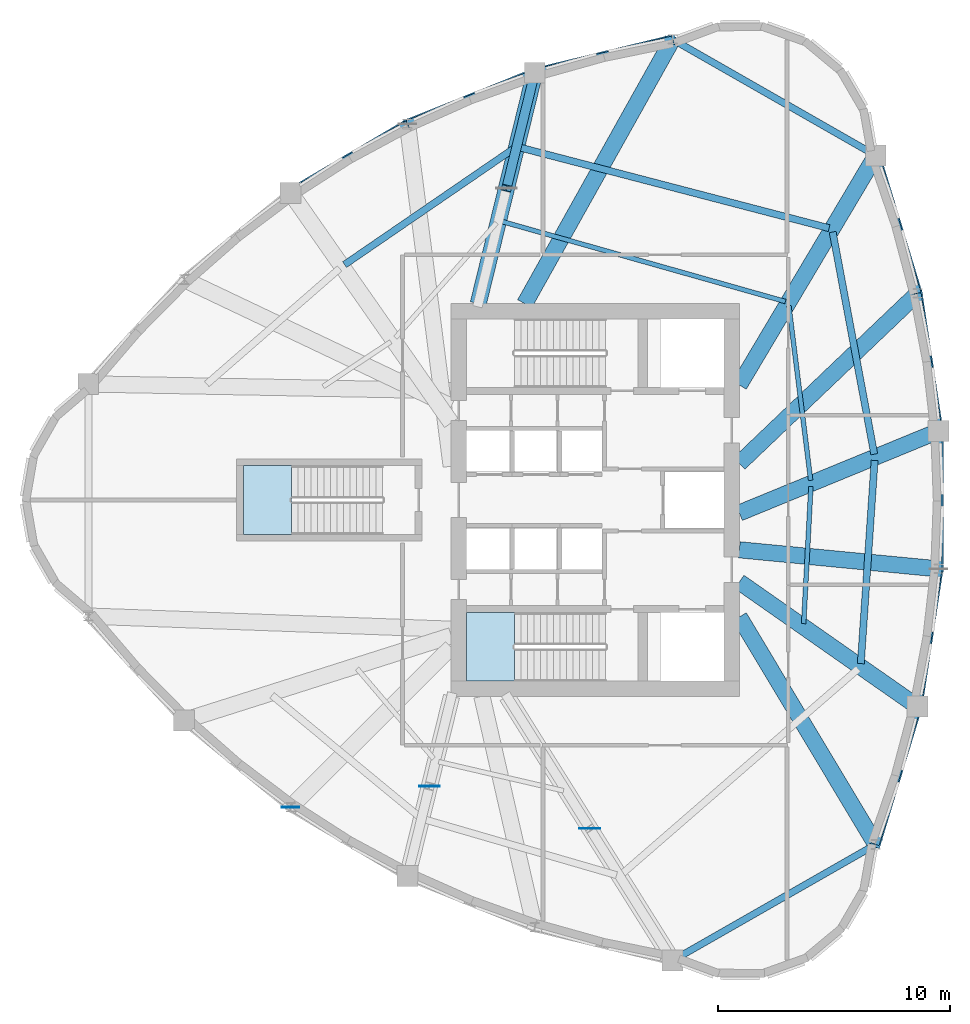
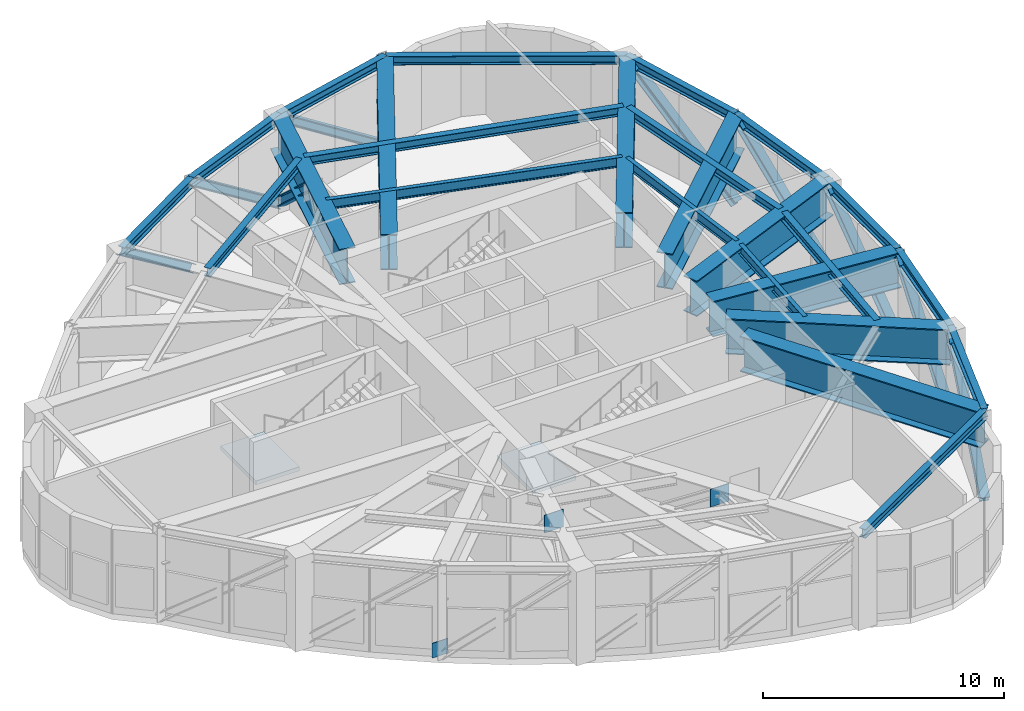
# One storey, part 2 of 9: 25 beams, 9 members, 3 plates, 2 slabs, 2 elements without a shape of their own.
"""IFC4 building model written with IfcOpenShell, lengths in metres."""

import ifcopenshell
import ifcopenshell.guid

model = None  # the IFC model being written
_history = None  # IfcOwnerHistory: only IFC2X3 demands one
_inside = {}  # id of a spatial element -> (the spatial element, [elements in it])
_under = {}  # id of a project, library or spatial element -> (it, [spatial elements below it])
_declared = {}  # id of a project -> (the project, [libraries it declares])
_typed = {}  # id of a type object -> (the type object, [elements of that type])
_made_of = {}  # id of a material, layer set ... -> (it, [elements and type objects made of it])


def new_model(schema):
    """Start an empty IFC model of exactly this schema.

    Asked for "IFC4X3", IfcOpenShell would pick the latest addendum, in which some entities
    have other attributes; the version numbers below select the first issue.
    IFC2X3 requires an IfcOwnerHistory on every rooted entity: one is made here for all.
    """
    global model, _history
    if schema == "IFC4X3":
        model = ifcopenshell.file(schema_version=(4, 3, 0, 0))
    else:
        model = ifcopenshell.file(schema=schema)
    _inside.clear()
    _under.clear()
    _declared.clear()
    _typed.clear()
    _made_of.clear()
    _history = None
    if model.schema == "IFC2X3":
        org = make("IfcOrganization", Name="unknown")
        user = make(
            "IfcPersonAndOrganization",
            ThePerson=make("IfcPerson", FamilyName="unknown"),
            TheOrganization=org,
        )
        app = make(
            "IfcApplication",
            ApplicationDeveloper=org,
            Version="unknown",
            ApplicationFullName="unknown",
            ApplicationIdentifier="unknown",
        )
        _history = make(
            "IfcOwnerHistory",
            OwningUser=user,
            OwningApplication=app,
            ChangeAction="ADDED",
            CreationDate=0,
        )
    return model


def make(cls, **values):
    """One entity of the class cls with the attributes given. An attribute that is None is left unset."""
    return model.create_entity(
        cls, **{name: value for name, value in values.items() if value is not None}
    )


def rooted(cls, **values):
    """An entity with a GlobalId (a new one), such as an element, a storey or a relation."""
    return make(cls, GlobalId=ifcopenshell.guid.new(), OwnerHistory=_history, **values)


def si_unit(unit_type, name, prefix=None):
    """IfcSIUnit, for example si_unit("LENGTHUNIT", "METRE", prefix="MILLI")."""
    return make("IfcSIUnit", UnitType=unit_type, Prefix=prefix, Name=name)


def assignment(units):
    """IfcUnitAssignment: the units of a project."""
    return None if units is None else make("IfcUnitAssignment", Units=units)


def point(xyz):
    """IfcCartesianPoint."""
    return None if xyz is None else make("IfcCartesianPoint", Coordinates=xyz)


def direction(xyz):
    """IfcDirection."""
    return None if xyz is None else make("IfcDirection", DirectionRatios=xyz)


def frame(location, z_axis=None, x_axis=None):
    """IfcAxis2Placement3D, a coordinate frame: its origin and axes. An axis left out is left unset."""
    return make(
        "IfcAxis2Placement3D",
        Location=point(location),
        Axis=direction(z_axis),
        RefDirection=direction(x_axis),
    )


def frame_2d(location, x_axis=None):
    """IfcAxis2Placement2D, a coordinate frame in the plane: its origin and x axis."""
    return make(
        "IfcAxis2Placement2D", Location=point(location), RefDirection=direction(x_axis)
    )


def origin():
    """The frame at (0, 0, 0) with its axes left unset."""
    return frame((0.0, 0.0, 0.0))


def origin_2d():
    """The frame at (0, 0) in the plane with its x axis left unset."""
    return frame_2d((0.0, 0.0))


def place(relative_to, where):
    """IfcLocalPlacement: puts the frame where relative to a parent placement (None: the world)."""
    return make(
        "IfcLocalPlacement", PlacementRelTo=relative_to, RelativePlacement=where
    )


def context(
    kind, dimensions, precision=None, world=None, true_north=None, identifier=None
):
    """IfcGeometricRepresentationContext, for example the 3D "Model" context."""
    return make(
        "IfcGeometricRepresentationContext",
        ContextIdentifier=identifier,
        ContextType=kind,
        CoordinateSpaceDimension=dimensions,
        Precision=precision,
        WorldCoordinateSystem=world,
        TrueNorth=true_north,
    )


def subcontext(parent, identifier, kind, view, scale=None):
    """IfcGeometricRepresentationSubContext, for example "Body" below "Model"."""
    return make(
        "IfcGeometricRepresentationSubContext",
        ContextIdentifier=identifier,
        ContextType=kind,
        ParentContext=parent,
        TargetScale=scale,
        TargetView=view,
    )


def project(units=None, contexts=None):
    """IfcProject with its units and contexts."""
    return rooted(
        "IfcProject",
        Name="project",
        RepresentationContexts=contexts,
        UnitsInContext=assignment(units),
    )


def spatial(cls, under=None, at=None, **own):
    """A site, building, storey or space (cls), placed at a placement, below another one or the project."""
    s = rooted(cls, ObjectPlacement=at, **own)
    if under is not None:
        _under.setdefault(under.id(), (under, []))[1].append(s)
    return s


def polyline(points):
    """IfcPolyline through the points."""
    return make("IfcPolyline", Points=[point(p) for p in points])


def profile(cls, at=None, kind="AREA", **sizes):
    """A parametric profile (cls). Its sizes go by their IFC names, for example OverallWidth=200.0."""
    return make(cls, ProfileType=kind, Position=at, **sizes)


def rectangle(**sizes):
    """IfcRectangleProfileDef."""
    return profile("IfcRectangleProfileDef", **sizes)


def i_section(**sizes):
    """IfcIShapeProfileDef."""
    return profile("IfcIShapeProfileDef", **sizes)


def outline(outer, holes=None, kind="AREA"):
    """IfcArbitraryClosedProfileDef: a profile drawn as a closed curve; with holes, ...WithVoids."""
    if holes is None:
        return make("IfcArbitraryClosedProfileDef", ProfileType=kind, OuterCurve=outer)
    return make(
        "IfcArbitraryProfileDefWithVoids",
        ProfileType=kind,
        OuterCurve=outer,
        InnerCurves=holes,
    )


def extrude(swept, where, along, depth):
    """IfcExtrudedAreaSolid: the profile swept, set in the frame where, extruded along a direction by depth."""
    return make(
        "IfcExtrudedAreaSolid",
        SweptArea=swept,
        Position=where,
        ExtrudedDirection=direction(along),
        Depth=depth,
    )


def shape(context_of_items, identifier, shape_type, items):
    """IfcShapeRepresentation: the items that make up one representation, for example the "Body"."""
    return make(
        "IfcShapeRepresentation",
        ContextOfItems=context_of_items,
        RepresentationIdentifier=identifier,
        RepresentationType=shape_type,
        Items=items,
    )


def source(mapping_origin, context_of_items, identifier, shape_type, items):
    """IfcRepresentationMap: a shape defined once, which mapped items show again and again."""
    return make(
        "IfcRepresentationMap",
        MappingOrigin=mapping_origin,
        MappedRepresentation=shape(context_of_items, identifier, shape_type, items),
    )


def transform(
    local_origin,
    x_axis=None,
    y_axis=None,
    z_axis=None,
    scale=None,
    scale2=None,
    scale3=None,
    uniform=True,
):
    """IfcCartesianTransformationOperator3D, or its non-uniform kind. x_axis, y_axis, z_axis: its Axis1, 2, 3."""
    if uniform:
        return make(
            "IfcCartesianTransformationOperator3D",
            Axis1=direction(x_axis),
            Axis2=direction(y_axis),
            LocalOrigin=point(local_origin),
            Scale=scale,
            Axis3=direction(z_axis),
        )
    return make(
        "IfcCartesianTransformationOperator3DnonUniform",
        Axis1=direction(x_axis),
        Axis2=direction(y_axis),
        LocalOrigin=point(local_origin),
        Scale=scale,
        Axis3=direction(z_axis),
        Scale2=scale2,
        Scale3=scale3,
    )


def mapped(mapping_source, mapping_target):
    """IfcMappedItem: shows the shape of a source again, moved by a transform."""
    return make(
        "IfcMappedItem", MappingSource=mapping_source, MappingTarget=mapping_target
    )


def material(Name=None, Category=None):
    """IfcMaterial."""
    return make("IfcMaterial", Name=Name, Category=Category)


def layer(
    of_material, thickness, ventilated=None, Name=None, Category=None, Priority=None
):
    """IfcMaterialLayer: one layer of a wall or slab, of a material (None: an air gap)."""
    return make(
        "IfcMaterialLayer",
        Material=of_material,
        LayerThickness=thickness,
        IsVentilated=ventilated,
        Name=Name,
        Category=Category,
        Priority=Priority,
    )


def layer_set(layers, Name=None):
    """IfcMaterialLayerSet."""
    return make("IfcMaterialLayerSet", MaterialLayers=layers, LayerSetName=Name)


def material_profile(
    of_material, cross_section, Name=None, Category=None, Priority=None
):
    """IfcMaterialProfile: a cross section and its material."""
    return make(
        "IfcMaterialProfile",
        Name=Name,
        Material=of_material,
        Profile=cross_section,
        Priority=Priority,
        Category=Category,
    )


def profile_set(profiles, Name=None, composite=None):
    """IfcMaterialProfileSet."""
    return make(
        "IfcMaterialProfileSet",
        Name=Name,
        MaterialProfiles=profiles,
        CompositeProfile=composite,
    )


def made_of(thing, what):
    """Note that an element or type object is made of a material, layer set ...; save() writes the relation."""
    if what is not None:
        _made_of.setdefault(what.id(), (what, []))[1].append(thing)
    return thing


def type_object(cls, material=None, **own):
    """A type object (cls), such as IfcWallType, which elements share."""
    return made_of(rooted(cls, **own), material)


def element(
    cls,
    number,
    at=None,
    inside=None,
    cuts=None,
    type_object=None,
    material=None,
    context=None,
    identifier="Body",
    shape_type=None,
    held_by="IfcProductDefinitionShape",
    body=None,
    shapes=None,
    **own,
):
    """One element of the class cls, such as IfcWall. Its Tag is "e" and its number.

    at: its placement. inside: the storey or other place that contains it. cuts: it is an
    opening in that element (IfcRelVoidsElement). A single representation is given by context,
    identifier, shape_type and body (its items); several are given by shapes. held_by: the class
    of the entity that holds the representations. save() writes the other relations.
    """
    e = rooted(cls, Tag="e%d" % number, ObjectPlacement=at, **own)
    if body is not None:
        shapes = [shape(context, identifier, shape_type, body)]
    if shapes is not None:
        e.Representation = make(held_by, Representations=shapes)
    if inside is not None:
        _inside.setdefault(inside.id(), (inside, []))[1].append(e)
    if cuts is not None:
        rooted(
            "IfcRelVoidsElement", RelatingBuildingElement=cuts, RelatedOpeningElement=e
        )
    if type_object is not None:
        _typed.setdefault(type_object.id(), (type_object, []))[1].append(e)
    return made_of(e, material)


def aggregate(whole, parts):
    """IfcRelAggregates: a whole, such as a stair, and the parts it consists of."""
    return rooted("IfcRelAggregates", RelatingObject=whole, RelatedObjects=parts)


def save(model, path):
    """Write the relations noted so far, then the file.

    IfcRelAggregates (storeys below a building ...), IfcRelContainedInSpatialStructure (elements
    in a storey), IfcRelDefinesByType, IfcRelAssociatesMaterial and IfcRelDeclares: one each for
    every whole, place, type object, material and project.
    """
    for whole, parts in _under.values():
        aggregate(whole, parts)
    for where, things in _inside.values():
        rooted(
            "IfcRelContainedInSpatialStructure",
            RelatedElements=things,
            RelatingStructure=where,
        )
    for kind, things in _typed.values():
        rooted("IfcRelDefinesByType", RelatedObjects=things, RelatingType=kind)
    for what, things in _made_of.values():
        rooted("IfcRelAssociatesMaterial", RelatedObjects=things, RelatingMaterial=what)
    for by, libraries in _declared.values():
        rooted("IfcRelDeclares", RelatingContext=by, RelatedDefinitions=libraries)
    model.write(path)


model = new_model("IFC4")

# Units and contexts
model_context = context("Model", 3, precision=1e-05, world=origin(), true_north=direction((0.0, 1.0)))
body_context = subcontext(model_context, "Body", "Model", "MODEL_VIEW")
ifc_project = project(units=[si_unit("LENGTHUNIT", "METRE"), si_unit("AREAUNIT", "SQUARE_METRE"), si_unit("VOLUMEUNIT", "CUBIC_METRE"), si_unit("PLANEANGLEUNIT", "RADIAN"), si_unit("MASSUNIT", "GRAM", prefix="KILO")], contexts=[model_context])

# Site, building, storey
site_placement = place(None, origin())
site = spatial("IfcSite", under=ifc_project, at=site_placement, CompositionType="ELEMENT")
building_placement = place(site_placement, origin())
building = spatial("IfcBuilding", under=site, at=building_placement, Name="Qafzar Sky-Pleat Residences", CompositionType="ELEMENT")
storey_placement = place(building_placement, frame((0.0, 0.0, 128.0)))
storey = spatial("IfcBuildingStorey", under=building, at=storey_placement, Name="L38", CompositionType="ELEMENT", Elevation=128.0)

# Beams
ifc_material_1 = material(Name="Steel S355", Category="steel")
ifc_material_profile_1 = material_profile(ifc_material_1, i_section(OverallWidth=0.300048828125, OverallDepth=0.449951171875, WebThickness=0.013916015625, FlangeThickness=0.02587890625, FilletRadius=0.027099609375, at=origin_2d()), Name="HEB 450")
ifc_profile_set_1 = profile_set([ifc_material_profile_1], Name="Steel S355")
beam_type_1 = type_object("IfcBeamType", Name="BM-SPAN-HEB450", PredefinedType="SPANDREL", material=ifc_profile_set_1)
shared_shape_1 = source(origin(), body_context, "Body", "SweptSolid", [
    extrude(i_section(OverallWidth=0.300048828125, OverallDepth=0.449951171875, WebThickness=0.013916015625, FlangeThickness=0.02587890625, FilletRadius=0.027099609375, at=origin_2d()), origin(), (0.0, 0.0, 1.0), 6.1025390625),
])
beam_1_placement = place(storey_placement, frame((33.6767578125, 45.82373046875, 4.52294921875), z_axis=(-0.971900047669, -0.235393919506, 0.0), x_axis=(0.235393919506, -0.971900047669, 0.0)))
element("IfcBeam", 1, at=beam_1_placement, inside=storey, type_object=beam_type_1, Name="L38 Perimeter Spandrel Beam 14", PredefinedType="SPANDREL", context=body_context, shape_type="MappedRepresentation", body=[
    mapped(shared_shape_1, transform((0.0, 0.0, 0.0), x_axis=(1.0, 0.0, 0.0), y_axis=(0.0, 1.0, 0.0), z_axis=(0.0, 0.0, 1.0), scale=1.0)),
])
shared_shape_2 = source(origin(), body_context, "Body", "SweptSolid", [
    extrude(i_section(OverallWidth=0.300048828125, OverallDepth=0.449951171875, WebThickness=0.013916015625, FlangeThickness=0.02587890625, FilletRadius=0.027099609375, at=origin_2d()), origin(), (0.0, 0.0, 1.0), 5.838623046875),
])
beam_2_placement = place(storey_placement, frame((22.26513671875, 42.186279296875, 4.52294921875), z_axis=(-0.861408122247, -0.507913424637, 0.0), x_axis=(0.507913424637, -0.861408122247, 0.0)))
element("IfcBeam", 2, at=beam_2_placement, inside=storey, type_object=beam_type_1, Name="L38 Perimeter Spandrel Beam 16", PredefinedType="SPANDREL", context=body_context, shape_type="MappedRepresentation", body=[
    mapped(shared_shape_2, transform((0.0, 0.0, 0.0), x_axis=(1.0, 0.0, 0.0), y_axis=(0.0, 1.0, 0.0), z_axis=(0.0, 0.0, 1.0), scale=1.0)),
])
shared_shape_3 = source(origin(), body_context, "Body", "SweptSolid", [
    extrude(i_section(OverallWidth=0.300048828125, OverallDepth=0.449951171875, WebThickness=0.013916015625, FlangeThickness=0.02587890625, FilletRadius=0.027099609375, at=origin_2d()), origin(), (0.0, 0.0, 1.0), 5.906005859375),
])
beam_3_placement = place(storey_placement, frame((27.74560546875, 44.38720703125, 4.52294921875), z_axis=(-0.927965498351, -0.372666115807, 0.0), x_axis=(0.372666115807, -0.927965498351, 0.0)))
element("IfcBeam", 3, at=beam_3_placement, inside=storey, type_object=beam_type_1, Name="L38 Perimeter Spandrel Beam 15", PredefinedType="SPANDREL", context=body_context, shape_type="MappedRepresentation", body=[
    mapped(shared_shape_3, transform((0.0, 0.0, 0.0), x_axis=(1.0, 0.0, 0.0), y_axis=(0.0, 1.0, 0.0), z_axis=(0.0, 0.0, 1.0), scale=1.0)),
])
shared_shape_4 = source(origin(), body_context, "Body", "SweptSolid", [
    extrude(i_section(OverallWidth=0.300048828125, OverallDepth=0.449951171875, WebThickness=0.013916015625, FlangeThickness=0.02587890625, FilletRadius=0.027099609375, at=origin_2d()), origin(), (0.0, 0.0, 1.0), 10.072265625),
])
for number, where, z_axis, x_axis, name in (
    (4, (33.6767578125, 6.17626953125, 4.52294921875), (0.868308765909, 0.496024079099, 0.0), (-0.496024079099, 0.868308765909, 0.0), "L38 Perimeter Spandrel Beam 7"),
    (5, (42.422607421875, 40.82763671875, 4.52294921875), (-0.868308765909, 0.496024079099, 0.0), (-0.496024079099, -0.868308765909, 0.0), "L38 Perimeter Spandrel Beam 13"),
):
    element("IfcBeam", number, at=place(storey_placement, frame(where, z_axis=z_axis, x_axis=x_axis)), inside=storey, type_object=beam_type_1, Name=name, PredefinedType="SPANDREL", context=body_context, shape_type="MappedRepresentation", body=[
        mapped(shared_shape_4, transform((0.0, 0.0, 0.0), x_axis=(1.0, 0.0, 0.0), y_axis=(0.0, 1.0, 0.0), z_axis=(0.0, 0.0, 1.0), scale=1.0)),
    ])
shared_shape_5 = source(origin(), body_context, "Body", "SweptSolid", [
    extrude(i_section(OverallWidth=0.300048828125, OverallDepth=0.449951171875, WebThickness=0.013916015625, FlangeThickness=0.02587890625, FilletRadius=0.027099609375, at=origin_2d()), origin(), (0.0, 0.0, 1.0), 6.19921875),
])
for number, where, z_axis, x_axis, name in (
    (6, (42.422607421875, 11.17236328125, 4.52294921875), (0.290843469518, 0.956770649758, 0.0), (-0.956770649758, 0.290843469518, 0.0), "L38 Perimeter Spandrel Beam 8"),
    (7, (44.2255859375, 34.896484375, 4.52294921875), (-0.290843469518, 0.956770649758, 0.0), (-0.956770649758, -0.290843469518, 0.0), "L38 Perimeter Spandrel Beam 12"),
):
    element("IfcBeam", number, at=place(storey_placement, frame(where, z_axis=z_axis, x_axis=x_axis)), inside=storey, type_object=beam_type_1, Name=name, PredefinedType="SPANDREL", context=body_context, shape_type="MappedRepresentation", body=[
        mapped(shared_shape_5, transform((0.0, 0.0, 0.0), x_axis=(1.0, 0.0, 0.0), y_axis=(0.0, 1.0, 0.0), z_axis=(0.0, 0.0, 1.0), scale=1.0)),
    ])
shared_shape_6 = source(origin(), body_context, "Body", "SweptSolid", [
    extrude(i_section(OverallWidth=0.300048828125, OverallDepth=0.449951171875, WebThickness=0.013916015625, FlangeThickness=0.02587890625, FilletRadius=0.027099609375, at=origin_2d()), origin(), (0.0, 0.0, 1.0), 5.9990234375),
])
for number, where, z_axis, x_axis, name in (
    (8, (44.2255859375, 17.103515625, 4.52294921875), (0.150292404852, 0.988641589781, 0.0), (-0.988641589781, 0.150292404852, 0.0), "L38 Perimeter Spandrel Beam 9"),
    (9, (45.127197265625, 28.965576171875, 4.52294921875), (-0.150292404852, 0.988641589781, 0.0), (-0.988641589781, -0.150292404852, 0.0), "L38 Perimeter Spandrel Beam 11"),
):
    element("IfcBeam", number, at=place(storey_placement, frame(where, z_axis=z_axis, x_axis=x_axis)), inside=storey, type_object=beam_type_1, Name=name, PredefinedType="SPANDREL", context=body_context, shape_type="MappedRepresentation", body=[
        mapped(shared_shape_6, transform((0.0, 0.0, 0.0), x_axis=(1.0, 0.0, 0.0), y_axis=(0.0, 1.0, 0.0), z_axis=(0.0, 0.0, 1.0), scale=1.0)),
    ])
shared_shape_7 = source(origin(), body_context, "Body", "SweptSolid", [
    extrude(i_section(OverallWidth=0.300048828125, OverallDepth=0.449951171875, WebThickness=0.013916015625, FlangeThickness=0.02587890625, FilletRadius=0.027099609375, at=origin_2d()), origin(), (0.0, 0.0, 1.0), 5.93115234375),
])
beam_4_placement = place(storey_placement, frame((45.127197265625, 23.034423828125, 4.52294921875), z_axis=(0.0, 1.0, 0.0), x_axis=(-1.0, 0.0, 0.0)))
element("IfcBeam", 10, at=beam_4_placement, inside=storey, type_object=beam_type_1, Name="L38 Perimeter Spandrel Beam 10", PredefinedType="SPANDREL", context=body_context, shape_type="MappedRepresentation", body=[
    mapped(shared_shape_7, transform((0.0, 0.0, 0.0), x_axis=(1.0, 0.0, 0.0), y_axis=(0.0, 1.0, 0.0), z_axis=(0.0, 0.0, 1.0), scale=1.0)),
])
ifc_material_2 = material(Name="Steel S460", Category="steel")
ifc_material_profile_2 = material_profile(ifc_material_2, i_section(OverallWidth=0.699951171875, OverallDepth=1.800048828125, WebThickness=0.035888671875, FlangeThickness=0.054931640625, at=origin_2d()), Name="PG 1800x700x55")
ifc_profile_set_2 = profile_set([ifc_material_profile_2], Name="Steel S460")
beam_type_2 = type_object("IfcBeamType", Name="BM-XFER-PG1800", PredefinedType="BEAM", material=ifc_profile_set_2)
shared_shape_8 = source(origin(), body_context, "Body", "SweptSolid", [
    extrude(i_section(OverallWidth=0.699951171875, OverallDepth=1.800048828125, WebThickness=0.035888671875, FlangeThickness=0.054931640625, at=origin_2d()), origin(), (0.0, 0.0, 1.0), 11.418701171875),
])
beam_5_placement = place(storey_placement, frame((42.422607421875, 11.17236328125, 3.847900390625), z_axis=(-0.514288223068, 0.857617410979, 0.0), x_axis=(-0.857617410979, -0.514288223068, 0.0)))
element("IfcBeam", 11, at=beam_5_placement, inside=storey, type_object=beam_type_2, Name="L39 Setback Transfer Girder 8", PredefinedType="BEAM", context=body_context, shape_type="MappedRepresentation", body=[
    mapped(shared_shape_8, transform((0.0, 0.0, 0.0), x_axis=(1.0, 0.0, 0.0), y_axis=(0.0, 1.0, 0.0), z_axis=(0.0, 0.0, 1.0), scale=1.0)),
])
shared_shape_9 = source(origin(), body_context, "Body", "SweptSolid", [
    extrude(i_section(OverallWidth=0.699951171875, OverallDepth=1.800048828125, WebThickness=0.035888671875, FlangeThickness=0.054931640625, at=origin_2d()), origin(), (0.0, 0.0, 1.0), 9.368408203125),
])
beam_6_placement = place(storey_placement, frame((44.2255859375, 17.103515625, 3.847900390625), z_axis=(-0.819296802646, 0.573369644448, 0.0), x_axis=(-0.573369644448, -0.819296802646, 0.0)))
element("IfcBeam", 12, at=beam_6_placement, inside=storey, type_object=beam_type_2, Name="L39 Setback Transfer Girder 9", PredefinedType="BEAM", context=body_context, shape_type="MappedRepresentation", body=[
    mapped(shared_shape_9, transform((0.0, 0.0, 0.0), x_axis=(1.0, 0.0, 0.0), y_axis=(0.0, 1.0, 0.0), z_axis=(0.0, 0.0, 1.0), scale=1.0)),
])
shared_shape_10 = source(origin(), body_context, "Body", "SweptSolid", [
    extrude(i_section(OverallWidth=0.699951171875, OverallDepth=1.800048828125, WebThickness=0.035888671875, FlangeThickness=0.054931640625, at=origin_2d()), origin(), (0.0, 0.0, 1.0), 8.616455078125),
])
beam_7_placement = place(storey_placement, frame((45.127197265625, 23.034423828125, 3.847900390625), z_axis=(-0.995433499401, 0.095457573138, 0.0), x_axis=(-0.095457573138, -0.995433499401, 0.0)))
element("IfcBeam", 13, at=beam_7_placement, inside=storey, type_object=beam_type_2, Name="L39 Setback Transfer Girder 10", PredefinedType="BEAM", context=body_context, shape_type="MappedRepresentation", body=[
    mapped(shared_shape_10, transform((0.0, 0.0, 0.0), x_axis=(1.0, 0.0, 0.0), y_axis=(0.0, 1.0, 0.0), z_axis=(0.0, 0.0, 1.0), scale=1.0)),
])
shared_shape_11 = source(origin(), body_context, "Body", "SweptSolid", [
    extrude(i_section(OverallWidth=0.699951171875, OverallDepth=1.800048828125, WebThickness=0.035888671875, FlangeThickness=0.054931640625, at=origin_2d()), origin(), (0.0, 0.0, 1.0), 9.272705078125),
])
beam_8_placement = place(storey_placement, frame((45.127197265625, 28.965576171875, 3.847900390625), z_axis=(-0.924984785955, -0.380004139124, 0.0), x_axis=(0.380004139124, -0.924984785955, 0.0)))
element("IfcBeam", 14, at=beam_8_placement, inside=storey, type_object=beam_type_2, Name="L39 Setback Transfer Girder 11", PredefinedType="BEAM", context=body_context, shape_type="MappedRepresentation", body=[
    mapped(shared_shape_11, transform((0.0, 0.0, 0.0), x_axis=(1.0, 0.0, 0.0), y_axis=(0.0, 1.0, 0.0), z_axis=(0.0, 0.0, 1.0), scale=1.0)),
])
shared_shape_12 = source(origin(), body_context, "Body", "SweptSolid", [
    extrude(i_section(OverallWidth=0.699951171875, OverallDepth=1.800048828125, WebThickness=0.035888671875, FlangeThickness=0.054931640625, at=origin_2d()), origin(), (0.0, 0.0, 1.0), 10.605712890625),
])
beam_9_placement = place(storey_placement, frame((44.2255859375, 34.896484375, 3.847900390625), z_axis=(-0.723711342599, -0.69010281306, 0.0), x_axis=(0.69010281306, -0.723711342599, 0.0)))
element("IfcBeam", 15, at=beam_9_placement, inside=storey, type_object=beam_type_2, Name="L39 Setback Transfer Girder 12", PredefinedType="BEAM", context=body_context, shape_type="MappedRepresentation", body=[
    mapped(shared_shape_12, transform((0.0, 0.0, 0.0), x_axis=(1.0, 0.0, 0.0), y_axis=(0.0, 1.0, 0.0), z_axis=(0.0, 0.0, 1.0), scale=1.0)),
])
shared_shape_13 = source(origin(), body_context, "Body", "SweptSolid", [
    extrude(i_section(OverallWidth=0.699951171875, OverallDepth=1.800048828125, WebThickness=0.035888671875, FlangeThickness=0.054931640625, at=origin_2d()), origin(), (0.0, 0.0, 1.0), 11.492919921875),
])
beam_10_placement = place(storey_placement, frame((42.422607421875, 40.82763671875, 3.847900390625), z_axis=(-0.510976982, -0.859594394971, 0.0), x_axis=(0.859594394971, -0.510976982, 0.0)))
element("IfcBeam", 16, at=beam_10_placement, inside=storey, type_object=beam_type_2, Name="L39 Setback Transfer Girder 13", PredefinedType="BEAM", context=body_context, shape_type="MappedRepresentation", body=[
    mapped(shared_shape_13, transform((0.0, 0.0, 0.0), x_axis=(1.0, 0.0, 0.0), y_axis=(0.0, 1.0, 0.0), z_axis=(0.0, 0.0, 1.0), scale=1.0)),
])
shared_shape_14 = source(origin(), body_context, "Body", "SweptSolid", [
    extrude(i_section(OverallWidth=0.699951171875, OverallDepth=1.800048828125, WebThickness=0.035888671875, FlangeThickness=0.054931640625, at=origin_2d()), origin(), (0.0, 0.0, 1.0), 13.0322265625),
])
beam_11_placement = place(storey_placement, frame((33.6767578125, 45.82373046875, 3.847900390625), z_axis=(-0.488179465927, -0.872743266401, 0.0), x_axis=(0.872743266401, -0.488179465927, 0.0)))
element("IfcBeam", 17, at=beam_11_placement, inside=storey, type_object=beam_type_2, Name="L39 Setback Transfer Girder 14", PredefinedType="BEAM", context=body_context, shape_type="MappedRepresentation", body=[
    mapped(shared_shape_14, transform((0.0, 0.0, 0.0), x_axis=(1.0, 0.0, 0.0), y_axis=(0.0, 1.0, 0.0), z_axis=(0.0, 0.0, 1.0), scale=1.0)),
])
shared_shape_15 = source(origin(), body_context, "Body", "SweptSolid", [
    extrude(i_section(OverallWidth=0.699951171875, OverallDepth=1.800048828125, WebThickness=0.035888671875, FlangeThickness=0.054931640625, at=origin_2d()), origin(), (0.0, 0.0, 1.0), 10.23095703125),
])
beam_12_placement = place(storey_placement, frame((27.74560546875, 44.38720703125, 3.847900390625), z_axis=(-0.23784437854, -0.971303274779, 0.0), x_axis=(0.971303274779, -0.23784437854, 0.0)))
element("IfcBeam", 18, at=beam_12_placement, inside=storey, type_object=beam_type_2, Name="L39 Setback Transfer Girder 15", PredefinedType="BEAM", context=body_context, shape_type="MappedRepresentation", body=[
    mapped(shared_shape_15, transform((0.0, 0.0, 0.0), x_axis=(1.0, 0.0, 0.0), y_axis=(0.0, 1.0, 0.0), z_axis=(0.0, 0.0, 1.0), scale=1.0)),
])
ifc_material_profile_3 = material_profile(ifc_material_1, i_section(OverallWidth=0.300048828125, OverallDepth=0.43994140625, WebThickness=0.011474609375, FlangeThickness=0.02099609375, FilletRadius=0.027099609375, at=origin_2d()), Name="HEA 450")
ifc_profile_set_3 = profile_set([ifc_material_profile_3], Name="Steel S355")
beam_type_3 = type_object("IfcBeamType", Name="BM-PLT-HEA450", PredefinedType="BEAM", material=ifc_profile_set_3)
shared_shape_16 = source(origin(), body_context, "Body", "SweptSolid", [
    extrude(i_section(OverallWidth=0.300048828125, OverallDepth=0.43994140625, WebThickness=0.011474609375, FlangeThickness=0.02099609375, FilletRadius=0.027099609375, at=origin_2d()), origin(), (0.0, 0.0, 1.0), 8.7666015625),
])
beam_13_placement = place(storey_placement, frame((41.778564453125, 18.95703125, 4.528076171875), z_axis=(0.067840555034, 0.997696175743, 0.0), x_axis=(-0.997696175743, 0.067840555034, 0.0)))
element("IfcBeam", 19, at=beam_13_placement, inside=storey, type_object=beam_type_3, Name="L38 Outer Secondary Floor Joist 5", PredefinedType="BEAM", context=body_context, shape_type="MappedRepresentation", body=[
    mapped(shared_shape_16, transform((0.0, 0.0, 0.0), x_axis=(1.0, 0.0, 0.0), y_axis=(0.0, 1.0, 0.0), z_axis=(0.0, 0.0, 1.0), scale=1.0)),
])
shared_shape_17 = source(origin(), body_context, "Body", "SweptSolid", [
    extrude(i_section(OverallWidth=0.300048828125, OverallDepth=0.43994140625, WebThickness=0.011474609375, FlangeThickness=0.02099609375, FilletRadius=0.027099609375, at=origin_2d()), origin(), (0.0, 0.0, 1.0), 9.72900390625),
])
beam_14_placement = place(storey_placement, frame((42.357666015625, 27.970703125, 4.528076171875), z_axis=(-0.183940046353, 0.982937464617, 0.0), x_axis=(-0.982937464617, -0.183940046353, 0.0)))
element("IfcBeam", 20, at=beam_14_placement, inside=storey, type_object=beam_type_3, Name="L38 Outer Secondary Floor Joist 6", PredefinedType="BEAM", context=body_context, shape_type="MappedRepresentation", body=[
    mapped(shared_shape_17, transform((0.0, 0.0, 0.0), x_axis=(1.0, 0.0, 0.0), y_axis=(0.0, 1.0, 0.0), z_axis=(0.0, 0.0, 1.0), scale=1.0)),
])
shared_shape_18 = source(origin(), body_context, "Body", "SweptSolid", [
    extrude(i_section(OverallWidth=0.300048828125, OverallDepth=0.43994140625, WebThickness=0.011474609375, FlangeThickness=0.02099609375, FilletRadius=0.027099609375, at=origin_2d()), origin(), (0.0, 0.0, 1.0), 13.7607421875),
])
beam_15_placement = place(storey_placement, frame((40.41259765625, 37.7001953125, 4.528076171875), z_axis=(-0.967624054782, 0.252395896575, 0.0), x_axis=(-0.252395896575, -0.967624054782, 0.0)))
element("IfcBeam", 21, at=beam_15_placement, inside=storey, type_object=beam_type_3, Name="L38 Outer Secondary Floor Joist 7", PredefinedType="BEAM", context=body_context, shape_type="MappedRepresentation", body=[
    mapped(shared_shape_18, transform((0.0, 0.0, 0.0), x_axis=(1.0, 0.0, 0.0), y_axis=(0.0, 1.0, 0.0), z_axis=(0.0, 0.0, 1.0), scale=1.0)),
])
shared_shape_19 = source(origin(), body_context, "Body", "SweptSolid", [
    extrude(i_section(OverallWidth=0.300048828125, OverallDepth=0.43994140625, WebThickness=0.011474609375, FlangeThickness=0.02099609375, FilletRadius=0.027099609375, at=origin_2d()), origin(), (0.0, 0.0, 1.0), 8.845947265625),
])
beam_16_placement = place(storey_placement, frame((26.85546875, 41.131103515625, 4.528076171875), z_axis=(-0.824778867647, -0.565455408926, 0.0), x_axis=(0.565455408926, -0.824778867647, 0.0)))
element("IfcBeam", 22, at=beam_16_placement, inside=storey, type_object=beam_type_3, Name="L38 Outer Secondary Floor Joist 8", PredefinedType="BEAM", context=body_context, shape_type="MappedRepresentation", body=[
    mapped(shared_shape_19, transform((0.0, 0.0, 0.0), x_axis=(1.0, 0.0, 0.0), y_axis=(0.0, 1.0, 0.0), z_axis=(0.0, 0.0, 1.0), scale=1.0)),
])
ifc_material_profile_4 = material_profile(ifc_material_1, i_section(OverallWidth=0.199951171875, OverallDepth=0.5, WebThickness=0.01025390625, FlangeThickness=0.01611328125, FilletRadius=0.02099609375, at=origin_2d()), Name="IPE 500")
ifc_profile_set_4 = profile_set([ifc_material_profile_4], Name="Steel S355")
beam_type_4 = type_object("IfcBeamType", Name="BM-SEC-IPE500", PredefinedType="BEAM", material=ifc_profile_set_4)
shared_shape_20 = source(origin(), body_context, "Body", "SweptSolid", [
    extrude(i_section(OverallWidth=0.199951171875, OverallDepth=0.5, WebThickness=0.01025390625, FlangeThickness=0.01611328125, FilletRadius=0.02099609375, at=origin_2d()), origin(), (0.0, 0.0, 1.0), 5.90771484375),
])
beam_17_placement = place(storey_placement, frame((39.3203125, 20.676025390625, 4.498046875), z_axis=(0.052524129188, 0.998619655251, 0.0), x_axis=(-0.998619655251, 0.052524129188, 0.0)))
element("IfcBeam", 23, at=beam_17_placement, inside=storey, type_object=beam_type_4, Name="L38 Inner Secondary Floor Joist 5", PredefinedType="BEAM", context=body_context, shape_type="MappedRepresentation", body=[
    mapped(shared_shape_20, transform((0.0, 0.0, 0.0), x_axis=(1.0, 0.0, 0.0), y_axis=(0.0, 1.0, 0.0), z_axis=(0.0, 0.0, 1.0), scale=1.0)),
])
shared_shape_21 = source(origin(), body_context, "Body", "SweptSolid", [
    extrude(i_section(OverallWidth=0.199951171875, OverallDepth=0.5, WebThickness=0.01025390625, FlangeThickness=0.01611328125, FilletRadius=0.02099609375, at=origin_2d()), origin(), (0.0, 0.0, 1.0), 7.585205078125),
])
beam_18_placement = place(storey_placement, frame((39.62109375, 26.844482421875, 4.498046875), z_axis=(-0.123951543536, 0.992288272054, 0.0), x_axis=(-0.992288272054, -0.123951543536, 0.0)))
element("IfcBeam", 24, at=beam_18_placement, inside=storey, type_object=beam_type_4, Name="L38 Inner Secondary Floor Joist 6", PredefinedType="BEAM", context=body_context, shape_type="MappedRepresentation", body=[
    mapped(shared_shape_21, transform((0.0, 0.0, 0.0), x_axis=(1.0, 0.0, 0.0), y_axis=(0.0, 1.0, 0.0), z_axis=(0.0, 0.0, 1.0), scale=1.0)),
])
shared_shape_22 = source(origin(), body_context, "Body", "SweptSolid", [
    extrude(i_section(OverallWidth=0.199951171875, OverallDepth=0.5, WebThickness=0.01025390625, FlangeThickness=0.01611328125, FilletRadius=0.02099609375, at=origin_2d()), origin(), (0.0, 0.0, 1.0), 12.693603515625),
])
beam_19_placement = place(storey_placement, frame((38.5341796875, 34.54150390625, 4.498046875), z_axis=(-0.962374263744, 0.271727393692, 0.0), x_axis=(-0.271727393692, -0.962374263744, 0.0)))
element("IfcBeam", 25, at=beam_19_placement, inside=storey, type_object=beam_type_4, Name="L38 Inner Secondary Floor Joist 7", PredefinedType="BEAM", context=body_context, shape_type="MappedRepresentation", body=[
    mapped(shared_shape_22, transform((0.0, 0.0, 0.0), x_axis=(1.0, 0.0, 0.0), y_axis=(0.0, 1.0, 0.0), z_axis=(0.0, 0.0, 1.0), scale=1.0)),
])

# Members
ifc_material_profile_5 = material_profile(ifc_material_2, i_section(OverallWidth=0.406005859375, OverallDepth=0.416015625, WebThickness=0.027099609375, FlangeThickness=0.0439453125, FilletRadius=0.014892578125, at=origin_2d()), Name="HD 400x382")
ifc_profile_set_5 = profile_set([ifc_material_profile_5], Name="Steel S460")
member_type_1 = type_object("IfcMemberType", Name="MEM-BELT-HD382", PredefinedType="BRACE", material=ifc_profile_set_5)
shared_shape_23 = source(origin(), body_context, "Body", "SweptSolid", [
    extrude(i_section(OverallWidth=0.406005859375, OverallDepth=0.416015625, WebThickness=0.027099609375, FlangeThickness=0.0439453125, FilletRadius=0.014892578125, at=origin_2d()), origin(), (0.0, 0.0, 1.0), 7.5234375),
])
member_1_placement = place(storey_placement, frame((33.6767578125, 45.82373046875, 0.14990234375), z_axis=(-0.788347331524, -0.190937503033, 0.58485156648), x_axis=(0.235393919506, -0.971900047669, 0.0)))
element("IfcMember", 26, at=member_1_placement, inside=storey, type_object=member_type_1, Name="L38 Belt Truss Diagonal 14", PredefinedType="BRACE", context=body_context, shape_type="MappedRepresentation", body=[
    mapped(shared_shape_23, transform((0.0, 0.0, 0.0), x_axis=(1.0, 0.0, 0.0), y_axis=(0.0, 1.0, 0.0), z_axis=(0.0, 0.0, 1.0), scale=1.0)),
])
shared_shape_24 = source(origin(), body_context, "Body", "SweptSolid", [
    extrude(i_section(OverallWidth=0.406005859375, OverallDepth=0.416015625, WebThickness=0.027099609375, FlangeThickness=0.0439453125, FilletRadius=0.014892578125, at=origin_2d()), origin(), (0.0, 0.0, 1.0), 7.36474609375),
])
member_2_placement = place(storey_placement, frame((27.74560546875, 44.38720703125, 0.14990234375), z_axis=(-0.744139269142, -0.298842458629, 0.597452870979), x_axis=(0.372666115807, -0.927965498351, 0.0)))
element("IfcMember", 27, at=member_2_placement, inside=storey, type_object=member_type_1, Name="L38 Belt Truss Diagonal 15", PredefinedType="BRACE", context=body_context, shape_type="MappedRepresentation", body=[
    mapped(shared_shape_24, transform((0.0, 0.0, 0.0), x_axis=(1.0, 0.0, 0.0), y_axis=(0.0, 1.0, 0.0), z_axis=(0.0, 0.0, 1.0), scale=1.0)),
])
shared_shape_25 = source(origin(), body_context, "Body", "SweptSolid", [
    extrude(i_section(OverallWidth=0.406005859375, OverallDepth=0.416015625, WebThickness=0.027099609375, FlangeThickness=0.0439453125, FilletRadius=0.014892578125, at=origin_2d()), origin(), (0.0, 0.0, 1.0), 7.31103515625),
])
member_3_placement = place(storey_placement, frame((22.26513671875, 42.186279296875, 0.14990234375), z_axis=(-0.687931989677, -0.405626420009, 0.601844485702), x_axis=(0.507913424637, -0.861408122247, 0.0)))
element("IfcMember", 28, at=member_3_placement, inside=storey, type_object=member_type_1, Name="L38 Belt Truss Diagonal 16", PredefinedType="BRACE", context=body_context, shape_type="MappedRepresentation", body=[
    mapped(shared_shape_25, transform((0.0, 0.0, 0.0), x_axis=(1.0, 0.0, 0.0), y_axis=(0.0, 1.0, 0.0), z_axis=(0.0, 0.0, 1.0), scale=1.0)),
])
shared_shape_26 = source(origin(), body_context, "Body", "SweptSolid", [
    extrude(i_section(OverallWidth=0.406005859375, OverallDepth=0.416015625, WebThickness=0.027099609375, FlangeThickness=0.0439453125, FilletRadius=0.014892578125, at=origin_2d()), origin(), (0.0, 0.0, 1.0), 7.60205078125),
])
for number, where, z_axis, x_axis, name in (
    (29, (42.422607421875, 11.17236328125, 0.14990234375), (0.237171222556, 0.780208216761, 0.578813397987), (-0.956770649758, 0.290843469518, 0.0), "L38 Belt Truss Diagonal 8"),
    (30, (44.2255859375, 34.896484375, 0.14990234375), (-0.237171222556, 0.780208216761, 0.578813397987), (-0.956770649758, -0.290843469518, 0.0), "L38 Belt Truss Diagonal 12"),
):
    element("IfcMember", number, at=place(storey_placement, frame(where, z_axis=z_axis, x_axis=x_axis)), inside=storey, type_object=member_type_1, Name=name, PredefinedType="BRACE", context=body_context, shape_type="MappedRepresentation", body=[
        mapped(shared_shape_26, transform((0.0, 0.0, 0.0), x_axis=(1.0, 0.0, 0.0), y_axis=(0.0, 1.0, 0.0), z_axis=(0.0, 0.0, 1.0), scale=1.0)),
    ])
shared_shape_27 = source(origin(), body_context, "Body", "SweptSolid", [
    extrude(i_section(OverallWidth=0.406005859375, OverallDepth=0.416015625, WebThickness=0.027099609375, FlangeThickness=0.0439453125, FilletRadius=0.014892578125, at=origin_2d()), origin(), (0.0, 0.0, 1.0), 7.439697265625),
])
for number, where, z_axis, x_axis, name in (
    (31, (44.2255859375, 17.103515625, 0.14990234375), (0.121188407869, 0.797191982767, 0.591437496621), (-0.988641589781, 0.150292404852, 0.0), "L38 Belt Truss Diagonal 9"),
    (32, (45.127197265625, 28.965576171875, 0.14990234375), (-0.121188407869, 0.797191982767, 0.591437496621), (-0.988641589781, -0.150292404852, 0.0), "L38 Belt Truss Diagonal 11"),
):
    element("IfcMember", number, at=place(storey_placement, frame(where, z_axis=z_axis, x_axis=x_axis)), inside=storey, type_object=member_type_1, Name=name, PredefinedType="BRACE", context=body_context, shape_type="MappedRepresentation", body=[
        mapped(shared_shape_27, transform((0.0, 0.0, 0.0), x_axis=(1.0, 0.0, 0.0), y_axis=(0.0, 1.0, 0.0), z_axis=(0.0, 0.0, 1.0), scale=1.0)),
    ])
shared_shape_28 = source(origin(), body_context, "Body", "SweptSolid", [
    extrude(i_section(OverallWidth=0.406005859375, OverallDepth=0.416015625, WebThickness=0.027099609375, FlangeThickness=0.0439453125, FilletRadius=0.014892578125, at=origin_2d()), origin(), (0.0, 0.0, 1.0), 7.385009765625),
])
member_4_placement = place(storey_placement, frame((45.127197265625, 23.034423828125, 0.14990234375), z_axis=(0.0, 0.803123032172, 0.595813221735), x_axis=(-1.0, 0.0, 0.0)))
element("IfcMember", 33, at=member_4_placement, inside=storey, type_object=member_type_1, Name="L38 Belt Truss Diagonal 10", PredefinedType="BRACE", context=body_context, shape_type="MappedRepresentation", body=[
    mapped(shared_shape_28, transform((0.0, 0.0, 0.0), x_axis=(1.0, 0.0, 0.0), y_axis=(0.0, 1.0, 0.0), z_axis=(0.0, 0.0, 1.0), scale=1.0)),
])
ifc_material_profile_6 = material_profile(ifc_material_2, i_section(OverallWidth=0.408935546875, OverallDepth=0.425048828125, WebThickness=0.030029296875, FlangeThickness=0.048095703125, FilletRadius=0.014892578125, at=origin_2d()), Name="HD 400x421")
ifc_profile_set_6 = profile_set([ifc_material_profile_6], Name="Steel S460")
member_type_2 = type_object("IfcMemberType", Name="MEM-OUT-HD421", PredefinedType="BRACE", material=ifc_profile_set_6)
shared_shape_29 = source(origin(), body_context, "Body", "SweptSolid", [
    extrude(i_section(OverallWidth=0.408935546875, OverallDepth=0.425048828125, WebThickness=0.030029296875, FlangeThickness=0.048095703125, FilletRadius=0.014892578125, at=origin_2d()), origin(), (0.0, 0.0, 1.0), 6.6826171875),
])
member_5_placement = place(storey_placement, frame((26.52880859375, 39.418701171875, 4.5), z_axis=(0.182084508114, 0.743499563529, -0.643469992258), x_axis=(-0.971296411465, 0.237872405029, 0.0)))
element("IfcMember", 34, at=member_5_placement, inside=storey, type_object=member_type_2, Name="L38 Outrigger Truss Diagonal 8B", PredefinedType="BRACE", context=body_context, shape_type="MappedRepresentation", body=[
    mapped(shared_shape_29, transform((0.0, 0.0, 0.0), x_axis=(1.0, 0.0, 0.0), y_axis=(0.0, 1.0, 0.0), z_axis=(0.0, 0.0, 1.0), scale=1.0)),
])

# Stair, slab
ifc_material_3 = material(Name="Concrete C40/50", Category="concrete")
stair_type = type_object("IfcStairType", Name="STAIR-H500", PredefinedType="HALF_TURN_STAIR", material=ifc_material_3)
stair_1_placement = place(storey_placement, origin())
stair_1 = element("IfcStair", 35, at=stair_1_placement, inside=storey, type_object=stair_type, Name="L38 Protected Exit Stair ST1", PredefinedType="HALF_TURN_STAIR")
ifc_layer_1 = layer(ifc_material_3, 0.199951171875)
ifc_layer_set_1 = layer_set([ifc_layer_1], Name="Concrete C40/50")
slab_type = type_object("IfcSlabType", Name="SLAB-LANDING-200", PredefinedType="LANDING", material=ifc_layer_set_1)
slab_1_placement = place(storey_placement, frame((0.0, 0.0, 2.300048828125)))
slab_1 = element("IfcSlab", 36, at=slab_1_placement, type_object=slab_type, Name="ST1 landing 1", PredefinedType="LANDING", context=body_context, shape_type="SweptSolid", body=[
    extrude(outline(polyline([(26.8798828125, 21.14990234375), (24.800048828125, 21.14990234375), (24.800048828125, 18.199951171875), (26.8798828125, 18.199951171875), (26.8798828125, 21.14990234375)])), origin(), (0.0, 0.0, 1.0), 0.199951171875),
])
aggregate(stair_1, [slab_1])

stair_2_placement = place(storey_placement, origin())
stair_2 = element("IfcStair", 37, at=stair_2_placement, inside=storey, type_object=stair_type, Name="L38 Protected Exit Stair ST3", PredefinedType="HALF_TURN_STAIR")
slab_2_placement = place(storey_placement, frame((0.0, 0.0, 2.300048828125)))
slab_2 = element("IfcSlab", 38, at=slab_2_placement, type_object=slab_type, Name="ST3 landing 1", PredefinedType="LANDING", context=body_context, shape_type="SweptSolid", body=[
    extrude(outline(polyline([(17.280029296875, 27.47509765625), (15.199951171875, 27.47509765625), (15.199951171875, 24.52490234375), (17.280029296875, 24.52490234375), (17.280029296875, 27.47509765625)])), origin(), (0.0, 0.0, 1.0), 0.199951171875),
])
aggregate(stair_2, [slab_2])

# Plates
ifc_layer_2 = layer(ifc_material_1, 0.030029296875)
ifc_layer_set_2 = layer_set([ifc_layer_2], Name="Steel S355")
plate_type_1 = type_object("IfcPlateType", Name="PLT-NODE-BN1", PredefinedType="USERDEFINED", material=ifc_layer_set_2)
shared_shape_30 = source(origin(), body_context, "Body", "SweptSolid", [
    extrude(rectangle(XDim=0.75, YDim=0.030029296875, at=origin_2d()), origin(), (0.0, 0.0, 1.0), 0.75),
])
plate_placement = place(storey_placement, frame((17.235595703125, 12.779296875, 0.074951171875), z_axis=(0.0, 0.0, 1.0), x_axis=(1.0, 0.0, 0.0)))
element("IfcPlate", 39, at=plate_placement, inside=storey, type_object=plate_type_1, Name="L38 Belt-Truss Node Plate 4", ObjectType="GUSSET_PLATE", PredefinedType="USERDEFINED", context=body_context, shape_type="MappedRepresentation", body=[
    mapped(shared_shape_30, transform((0.0, 0.0, 0.0), x_axis=(1.0, 0.0, 0.0), y_axis=(0.0, 1.0, 0.0), z_axis=(0.0, 0.0, 1.0), scale=1.0)),
])
ifc_layer_3 = layer(ifc_material_1, 0.034912109375)
ifc_layer_set_3 = layer_set([ifc_layer_3], Name="Steel S355")
plate_type_2 = type_object("IfcPlateType", Name="PLT-NODE-ON1", PredefinedType="USERDEFINED", material=ifc_layer_set_3)
shared_shape_31 = source(origin(), body_context, "Body", "SweptSolid", [
    extrude(rectangle(XDim=0.89990234375, YDim=0.034912109375, at=origin_2d()), origin(), (0.0, 0.0, 1.0), 0.89990234375),
])
for number, where, z_axis, x_axis, name in (
    (40, (23.214111328125, 13.681884765625, 3.800048828125), (0.0, 0.0, 1.0), (1.0, 0.0, 0.0), "L38 Outrigger Gusset Node 3"),
    (41, (30.1123046875, 11.863037109375, 3.800048828125), (0.0, 0.0, 1.0), (1.0, 0.0, 0.0), "L38 Outrigger Gusset Node 4"),
):
    element("IfcPlate", number, at=place(storey_placement, frame(where, z_axis=z_axis, x_axis=x_axis)), inside=storey, type_object=plate_type_2, Name=name, ObjectType="GUSSET_PLATE", PredefinedType="USERDEFINED", context=body_context, shape_type="MappedRepresentation", body=[
        mapped(shared_shape_31, transform((0.0, 0.0, 0.0), x_axis=(1.0, 0.0, 0.0), y_axis=(0.0, 1.0, 0.0), z_axis=(0.0, 0.0, 1.0), scale=1.0)),
    ])

save(model, "model.ifc")
